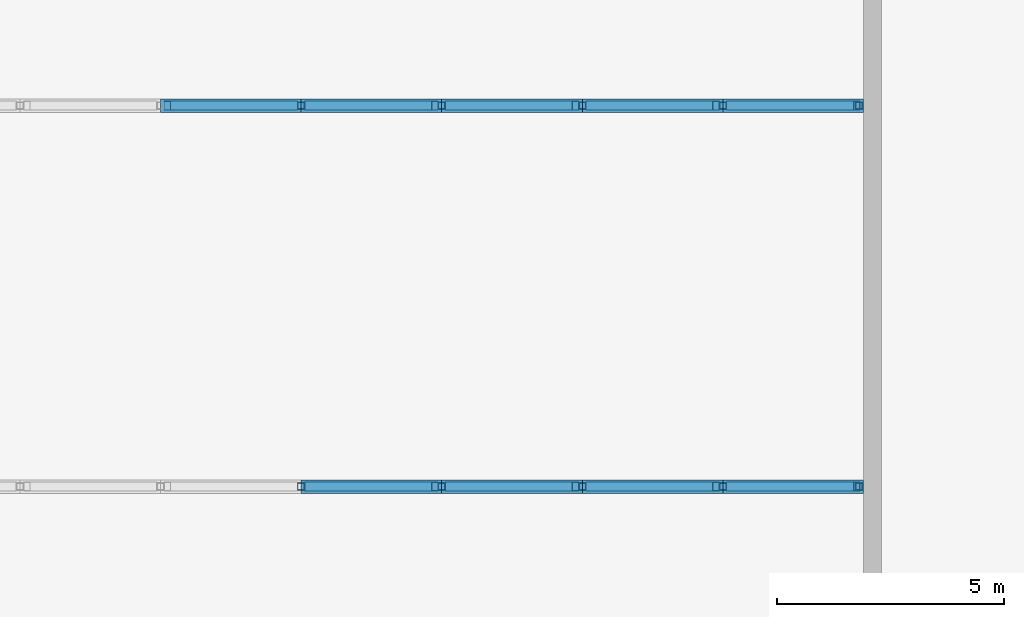
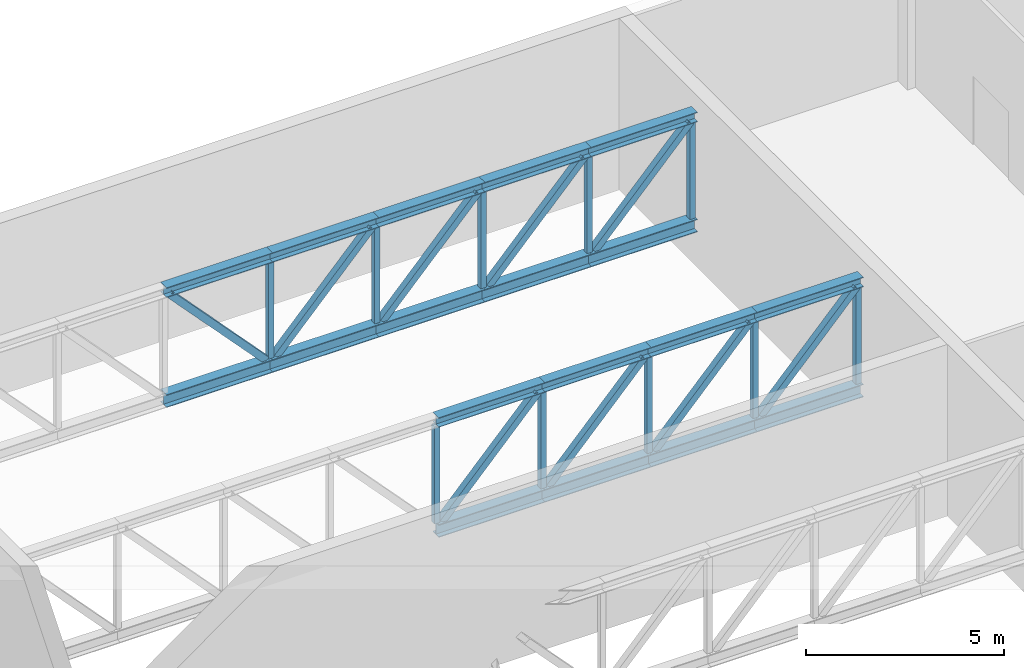
# One storey, part 12 of 26: 37 members.
"""IFC4 building model written with IfcOpenShell, lengths in metres."""

from ifc_helpers import new_model, si_unit, direction, frame, origin, origin_2d, place, context, subcontext, project, spatial, hollow_rectangle, i_section, extrude, material, material_profile, profile_set, type_object, element, save


model = new_model("IFC4")

# Units and contexts
model_context = context("Model", 3, precision=1e-05, world=origin(), true_north=direction((0.0, 1.0)))
body_context = subcontext(model_context, "Body", "Model", "MODEL_VIEW")
ifc_project = project(units=[si_unit("LENGTHUNIT", "METRE"), si_unit("AREAUNIT", "SQUARE_METRE"), si_unit("VOLUMEUNIT", "CUBIC_METRE"), si_unit("PLANEANGLEUNIT", "RADIAN"), si_unit("MASSUNIT", "GRAM", prefix="KILO")], contexts=[model_context])

# Site, building, storey
site_placement = place(None, origin())
site = spatial("IfcSite", under=ifc_project, at=site_placement, CompositionType="ELEMENT")
building_placement = place(site_placement, origin())
building = spatial("IfcBuilding", under=site, at=building_placement, Name="Candeia Pilgrim Tower and Theatre", CompositionType="ELEMENT")
storey_placement = place(building_placement, frame((0.0, 0.0, 34.0)))
storey = spatial("IfcBuildingStorey", under=building, at=storey_placement, Name="L05", CompositionType="ELEMENT", Elevation=34.0)

# Members
ifc_material = material(Name="Steel S355", Category="steel")
ifc_material_profile_1 = material_profile(ifc_material, i_section(OverallWidth=0.300048828125, OverallDepth=0.300048828125, WebThickness=0.010986328125, FlangeThickness=0.01904296875, at=origin_2d()))
ifc_profile_set_1 = profile_set([ifc_material_profile_1], Name="Steel S355")
member_type_1 = type_object("IfcMemberType", Name="Truss chord HEB 300", PredefinedType="CHORD", material=ifc_profile_set_1)
for number, where, z_axis, x_axis, name in (
    (1, (205.39990234375, 103.800048828125, 4.35009765625), (1.0, 0.0, 0.0), (0.0, 1.0, 0.0), "Truss 5 top chord 5"),
    (2, (208.5, 103.800048828125, 4.35009765625), (1.0, 0.0, 0.0), (0.0, 1.0, 0.0), "Truss 5 top chord 6"),
):
    element("IfcMember", number, at=place(storey_placement, frame(where, z_axis=z_axis, x_axis=x_axis)), inside=storey, type_object=member_type_1, Name=name, PredefinedType="CHORD", context=body_context, shape_type="SweptSolid", body=[
        extrude(i_section(OverallWidth=0.300048828125, OverallDepth=0.300048828125, WebThickness=0.010986328125, FlangeThickness=0.01904296875, at=origin_2d()), origin(), (0.0, 0.0, 1.0), 3.10009765625),
    ])
member_1_placement = place(storey_placement, frame((211.60009765625, 103.800048828125, 4.35009765625), z_axis=(1.0, 0.0, 0.0), x_axis=(0.0, 1.0, 0.0)))
element("IfcMember", 3, at=member_1_placement, inside=storey, type_object=member_type_1, Name="Truss 5 top chord 7", PredefinedType="CHORD", context=body_context, shape_type="SweptSolid", body=[
    extrude(i_section(OverallWidth=0.300048828125, OverallDepth=0.300048828125, WebThickness=0.010986328125, FlangeThickness=0.01904296875, at=origin_2d()), origin(), (0.0, 0.0, 1.0), 3.099853515625),
])
member_2_placement = place(storey_placement, frame((214.699951171875, 103.800048828125, 4.35009765625), z_axis=(1.0, 0.0, 0.0), x_axis=(0.0, 1.0, 0.0)))
element("IfcMember", 4, at=member_2_placement, inside=storey, type_object=member_type_1, Name="Truss 5 top chord 8", PredefinedType="CHORD", context=body_context, shape_type="SweptSolid", body=[
    extrude(i_section(OverallWidth=0.300048828125, OverallDepth=0.300048828125, WebThickness=0.010986328125, FlangeThickness=0.01904296875, at=origin_2d()), origin(), (0.0, 0.0, 1.0), 3.10009765625),
])
member_3_placement = place(storey_placement, frame((202.300048828125, 112.199951171875, 4.35009765625), z_axis=(1.0, 0.0, 0.0), x_axis=(0.0, 1.0, 0.0)))
element("IfcMember", 5, at=member_3_placement, inside=storey, type_object=member_type_1, Name="Truss 6 top chord 4", PredefinedType="CHORD", context=body_context, shape_type="SweptSolid", body=[
    extrude(i_section(OverallWidth=0.300048828125, OverallDepth=0.300048828125, WebThickness=0.010986328125, FlangeThickness=0.01904296875, at=origin_2d()), origin(), (0.0, 0.0, 1.0), 3.099853515625),
])
for number, where, z_axis, x_axis, name in (
    (6, (205.39990234375, 112.199951171875, 4.35009765625), (1.0, 0.0, 0.0), (0.0, 1.0, 0.0), "Truss 6 top chord 5"),
    (7, (208.5, 112.199951171875, 4.35009765625), (1.0, 0.0, 0.0), (0.0, 1.0, 0.0), "Truss 6 top chord 6"),
):
    element("IfcMember", number, at=place(storey_placement, frame(where, z_axis=z_axis, x_axis=x_axis)), inside=storey, type_object=member_type_1, Name=name, PredefinedType="CHORD", context=body_context, shape_type="SweptSolid", body=[
        extrude(i_section(OverallWidth=0.300048828125, OverallDepth=0.300048828125, WebThickness=0.010986328125, FlangeThickness=0.01904296875, at=origin_2d()), origin(), (0.0, 0.0, 1.0), 3.10009765625),
    ])
member_4_placement = place(storey_placement, frame((211.60009765625, 112.199951171875, 4.35009765625), z_axis=(1.0, 0.0, 0.0), x_axis=(0.0, 1.0, 0.0)))
element("IfcMember", 8, at=member_4_placement, inside=storey, type_object=member_type_1, Name="Truss 6 top chord 7", PredefinedType="CHORD", context=body_context, shape_type="SweptSolid", body=[
    extrude(i_section(OverallWidth=0.300048828125, OverallDepth=0.300048828125, WebThickness=0.010986328125, FlangeThickness=0.01904296875, at=origin_2d()), origin(), (0.0, 0.0, 1.0), 3.099853515625),
])
member_5_placement = place(storey_placement, frame((214.699951171875, 112.199951171875, 4.35009765625), z_axis=(1.0, 0.0, 0.0), x_axis=(0.0, 1.0, 0.0)))
element("IfcMember", 9, at=member_5_placement, inside=storey, type_object=member_type_1, Name="Truss 6 top chord 8", PredefinedType="CHORD", context=body_context, shape_type="SweptSolid", body=[
    extrude(i_section(OverallWidth=0.300048828125, OverallDepth=0.300048828125, WebThickness=0.010986328125, FlangeThickness=0.01904296875, at=origin_2d()), origin(), (0.0, 0.0, 1.0), 3.10009765625),
])
ifc_material_profile_2 = material_profile(ifc_material, i_section(OverallWidth=0.300048828125, OverallDepth=0.39990234375, WebThickness=0.013427734375, FlangeThickness=0.02392578125, at=origin_2d()))
ifc_profile_set_2 = profile_set([ifc_material_profile_2], Name="Steel S355")
member_type_2 = type_object("IfcMemberType", Name="Truss chord HEB 400", PredefinedType="CHORD", material=ifc_profile_set_2)
for number, where, z_axis, x_axis, name in (
    (10, (205.39990234375, 103.800048828125, 1.0), (1.0, 0.0, 0.0), (0.0, 1.0, 0.0), "Truss 5 bottom chord 5"),
    (11, (208.5, 103.800048828125, 1.0), (1.0, 0.0, 0.0), (0.0, 1.0, 0.0), "Truss 5 bottom chord 6"),
):
    element("IfcMember", number, at=place(storey_placement, frame(where, z_axis=z_axis, x_axis=x_axis)), inside=storey, type_object=member_type_2, Name=name, PredefinedType="CHORD", context=body_context, shape_type="SweptSolid", body=[
        extrude(i_section(OverallWidth=0.300048828125, OverallDepth=0.39990234375, WebThickness=0.013427734375, FlangeThickness=0.02392578125, at=origin_2d()), origin(), (0.0, 0.0, 1.0), 3.10009765625),
    ])
member_6_placement = place(storey_placement, frame((211.60009765625, 103.800048828125, 1.0), z_axis=(1.0, 0.0, 0.0), x_axis=(0.0, 1.0, 0.0)))
element("IfcMember", 12, at=member_6_placement, inside=storey, type_object=member_type_2, Name="Truss 5 bottom chord 7", PredefinedType="CHORD", context=body_context, shape_type="SweptSolid", body=[
    extrude(i_section(OverallWidth=0.300048828125, OverallDepth=0.39990234375, WebThickness=0.013427734375, FlangeThickness=0.02392578125, at=origin_2d()), origin(), (0.0, 0.0, 1.0), 3.099853515625),
])
member_7_placement = place(storey_placement, frame((214.699951171875, 103.800048828125, 1.0), z_axis=(1.0, 0.0, 0.0), x_axis=(0.0, 1.0, 0.0)))
element("IfcMember", 13, at=member_7_placement, inside=storey, type_object=member_type_2, Name="Truss 5 bottom chord 8", PredefinedType="CHORD", context=body_context, shape_type="SweptSolid", body=[
    extrude(i_section(OverallWidth=0.300048828125, OverallDepth=0.39990234375, WebThickness=0.013427734375, FlangeThickness=0.02392578125, at=origin_2d()), origin(), (0.0, 0.0, 1.0), 3.10009765625),
])
member_8_placement = place(storey_placement, frame((202.300048828125, 112.199951171875, 1.0), z_axis=(1.0, 0.0, 0.0), x_axis=(0.0, 1.0, 0.0)))
element("IfcMember", 14, at=member_8_placement, inside=storey, type_object=member_type_2, Name="Truss 6 bottom chord 4", PredefinedType="CHORD", context=body_context, shape_type="SweptSolid", body=[
    extrude(i_section(OverallWidth=0.300048828125, OverallDepth=0.39990234375, WebThickness=0.013427734375, FlangeThickness=0.02392578125, at=origin_2d()), origin(), (0.0, 0.0, 1.0), 3.099853515625),
])
for number, where, z_axis, x_axis, name in (
    (15, (205.39990234375, 112.199951171875, 1.0), (1.0, 0.0, 0.0), (0.0, 1.0, 0.0), "Truss 6 bottom chord 5"),
    (16, (208.5, 112.199951171875, 1.0), (1.0, 0.0, 0.0), (0.0, 1.0, 0.0), "Truss 6 bottom chord 6"),
):
    element("IfcMember", number, at=place(storey_placement, frame(where, z_axis=z_axis, x_axis=x_axis)), inside=storey, type_object=member_type_2, Name=name, PredefinedType="CHORD", context=body_context, shape_type="SweptSolid", body=[
        extrude(i_section(OverallWidth=0.300048828125, OverallDepth=0.39990234375, WebThickness=0.013427734375, FlangeThickness=0.02392578125, at=origin_2d()), origin(), (0.0, 0.0, 1.0), 3.10009765625),
    ])
member_9_placement = place(storey_placement, frame((211.60009765625, 112.199951171875, 1.0), z_axis=(1.0, 0.0, 0.0), x_axis=(0.0, 1.0, 0.0)))
element("IfcMember", 17, at=member_9_placement, inside=storey, type_object=member_type_2, Name="Truss 6 bottom chord 7", PredefinedType="CHORD", context=body_context, shape_type="SweptSolid", body=[
    extrude(i_section(OverallWidth=0.300048828125, OverallDepth=0.39990234375, WebThickness=0.013427734375, FlangeThickness=0.02392578125, at=origin_2d()), origin(), (0.0, 0.0, 1.0), 3.099853515625),
])
member_10_placement = place(storey_placement, frame((214.699951171875, 112.199951171875, 1.0), z_axis=(1.0, 0.0, 0.0), x_axis=(0.0, 1.0, 0.0)))
element("IfcMember", 18, at=member_10_placement, inside=storey, type_object=member_type_2, Name="Truss 6 bottom chord 8", PredefinedType="CHORD", context=body_context, shape_type="SweptSolid", body=[
    extrude(i_section(OverallWidth=0.300048828125, OverallDepth=0.39990234375, WebThickness=0.013427734375, FlangeThickness=0.02392578125, at=origin_2d()), origin(), (0.0, 0.0, 1.0), 3.10009765625),
])
ifc_material_profile_3 = material_profile(ifc_material, hollow_rectangle(XDim=0.199951171875, YDim=0.199951171875, WallThickness=0.010009765625, at=origin_2d()))
ifc_profile_set_3 = profile_set([ifc_material_profile_3], Name="Steel S355")
member_type_3 = type_object("IfcMemberType", Name="Truss diagonal SHS 200x200x10", PredefinedType="BRACE", material=ifc_profile_set_3)
for number, where, z_axis, x_axis, name in (
    (19, (205.550048828125, 103.800048828125, 1.199951171875), (0.682324609438, 0.0, 0.731049333052), (0.0, 1.0, 0.0), "Truss 5 diagonal 5"),
    (20, (208.64990234375, 103.800048828125, 1.199951171875), (0.682324609438, 0.0, 0.731049333052), (0.0, 1.0, 0.0), "Truss 5 diagonal 6"),
    (21, (211.75, 103.800048828125, 1.199951171875), (0.682324609438, 0.0, 0.731049333052), (0.0, 1.0, 0.0), "Truss 5 diagonal 7"),
):
    element("IfcMember", number, at=place(storey_placement, frame(where, z_axis=z_axis, x_axis=x_axis)), inside=storey, type_object=member_type_3, Name=name, PredefinedType="BRACE", context=body_context, shape_type="SweptSolid", body=[
        extrude(hollow_rectangle(XDim=0.199951171875, YDim=0.199951171875, WallThickness=0.010009765625, at=origin_2d()), origin(), (0.0, 0.0, 1.0), 4.103759765625),
    ])
member_11_placement = place(storey_placement, frame((214.85009765625, 103.800048828125, 1.199951171875), z_axis=(0.6822928125, 0.0, 0.731079009417), x_axis=(0.0, 1.0, 0.0)))
element("IfcMember", 22, at=member_11_placement, inside=storey, type_object=member_type_3, Name="Truss 5 diagonal 8", PredefinedType="BRACE", context=body_context, shape_type="SweptSolid", body=[
    extrude(hollow_rectangle(XDim=0.199951171875, YDim=0.199951171875, WallThickness=0.010009765625, at=origin_2d()), origin(), (0.0, 0.0, 1.0), 4.103515625),
])
for number, where, z_axis, x_axis, name in (
    (23, (202.449951171875, 112.199951171875, 4.199951171875), (0.682324609438, 0.0, -0.731049333052), (0.0, 1.0, 0.0), "Truss 6 diagonal 4"),
    (24, (205.550048828125, 112.199951171875, 1.199951171875), (0.682324609438, 0.0, 0.731049333052), (0.0, 1.0, 0.0), "Truss 6 diagonal 5"),
    (25, (208.64990234375, 112.199951171875, 1.199951171875), (0.682324609438, 0.0, 0.731049333052), (0.0, 1.0, 0.0), "Truss 6 diagonal 6"),
    (26, (211.75, 112.199951171875, 1.199951171875), (0.682324609438, 0.0, 0.731049333052), (0.0, 1.0, 0.0), "Truss 6 diagonal 7"),
):
    element("IfcMember", number, at=place(storey_placement, frame(where, z_axis=z_axis, x_axis=x_axis)), inside=storey, type_object=member_type_3, Name=name, PredefinedType="BRACE", context=body_context, shape_type="SweptSolid", body=[
        extrude(hollow_rectangle(XDim=0.199951171875, YDim=0.199951171875, WallThickness=0.010009765625, at=origin_2d()), origin(), (0.0, 0.0, 1.0), 4.103759765625),
    ])
member_12_placement = place(storey_placement, frame((214.85009765625, 112.199951171875, 1.199951171875), z_axis=(0.6822928125, 0.0, 0.731079009417), x_axis=(0.0, 1.0, 0.0)))
element("IfcMember", 27, at=member_12_placement, inside=storey, type_object=member_type_3, Name="Truss 6 diagonal 8", PredefinedType="BRACE", context=body_context, shape_type="SweptSolid", body=[
    extrude(hollow_rectangle(XDim=0.199951171875, YDim=0.199951171875, WallThickness=0.010009765625, at=origin_2d()), origin(), (0.0, 0.0, 1.0), 4.103515625),
])
ifc_material_profile_4 = material_profile(ifc_material, hollow_rectangle(XDim=0.159912109375, YDim=0.159912109375, WallThickness=0.008056640625, at=origin_2d()))
ifc_profile_set_4 = profile_set([ifc_material_profile_4], Name="Steel S355")
member_type_4 = type_object("IfcMemberType", Name="Truss post SHS 160x160x8", PredefinedType="POST", material=ifc_profile_set_4)
for number, where, z_axis, x_axis, name in (
    (28, (205.39990234375, 103.800048828125, 1.199951171875), (0.0, 0.0, 1.0), (1.0, 0.0, 0.0), "Truss 5 post 5"),
    (29, (208.5, 103.800048828125, 1.199951171875), (0.0, 0.0, 1.0), (1.0, 0.0, 0.0), "Truss 5 post 6"),
    (30, (211.60009765625, 103.800048828125, 1.199951171875), (0.0, 0.0, 1.0), (1.0, 0.0, 0.0), "Truss 5 post 7"),
    (31, (214.699951171875, 103.800048828125, 1.199951171875), (0.0, 0.0, 1.0), (1.0, 0.0, 0.0), "Truss 5 post 8"),
    (32, (217.699951171875, 103.800048828125, 1.199951171875), (0.0, 0.0, 1.0), (1.0, 0.0, 0.0), "Truss 5 post 9"),
    (33, (205.39990234375, 112.199951171875, 1.199951171875), (0.0, 0.0, 1.0), (1.0, 0.0, 0.0), "Truss 6 post 5"),
    (34, (208.5, 112.199951171875, 1.199951171875), (0.0, 0.0, 1.0), (1.0, 0.0, 0.0), "Truss 6 post 6"),
    (35, (211.60009765625, 112.199951171875, 1.199951171875), (0.0, 0.0, 1.0), (1.0, 0.0, 0.0), "Truss 6 post 7"),
    (36, (214.699951171875, 112.199951171875, 1.199951171875), (0.0, 0.0, 1.0), (1.0, 0.0, 0.0), "Truss 6 post 8"),
    (37, (217.699951171875, 112.199951171875, 1.199951171875), (0.0, 0.0, 1.0), (1.0, 0.0, 0.0), "Truss 6 post 9"),
):
    element("IfcMember", number, at=place(storey_placement, frame(where, z_axis=z_axis, x_axis=x_axis)), inside=storey, type_object=member_type_4, Name=name, PredefinedType="POST", context=body_context, shape_type="SweptSolid", body=[
        extrude(hollow_rectangle(XDim=0.159912109375, YDim=0.159912109375, WallThickness=0.008056640625, at=origin_2d()), origin(), (0.0, 0.0, 1.0), 3.0),
    ])

save(model, "model.ifc")
